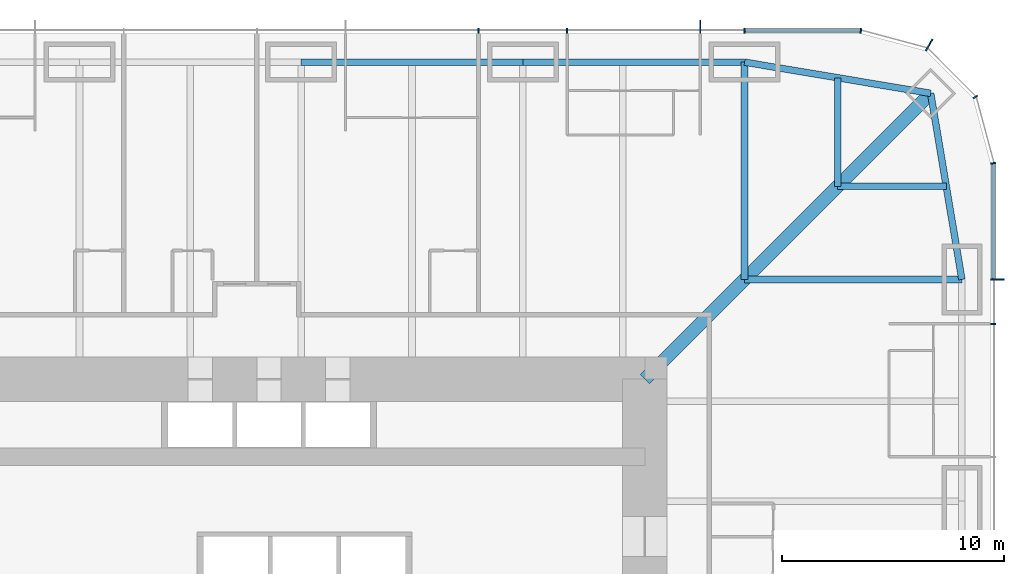
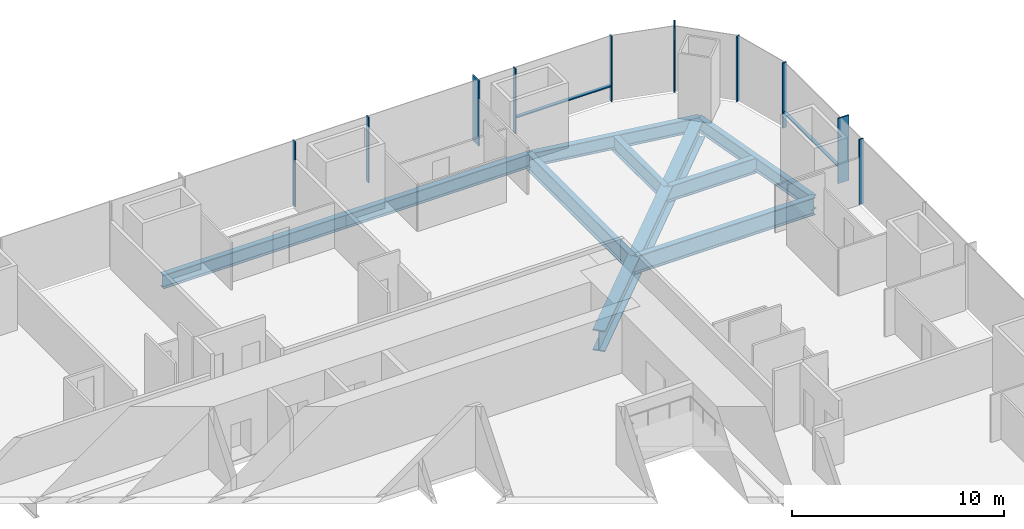
# One storey, part 9 of 16: 12 members, 9 beams, 3 elements without a shape of their own.
"""IFC4 building model written with IfcOpenShell, lengths in metres."""

import ifcopenshell
import ifcopenshell.guid

model = None  # the IFC model being written
_history = None  # IfcOwnerHistory: only IFC2X3 demands one
_inside = {}  # id of a spatial element -> (the spatial element, [elements in it])
_under = {}  # id of a project, library or spatial element -> (it, [spatial elements below it])
_declared = {}  # id of a project -> (the project, [libraries it declares])
_typed = {}  # id of a type object -> (the type object, [elements of that type])
_made_of = {}  # id of a material, layer set ... -> (it, [elements and type objects made of it])


def new_model(schema):
    """Start an empty IFC model of exactly this schema.

    Asked for "IFC4X3", IfcOpenShell would pick the latest addendum, in which some entities
    have other attributes; the version numbers below select the first issue.
    IFC2X3 requires an IfcOwnerHistory on every rooted entity: one is made here for all.
    """
    global model, _history
    if schema == "IFC4X3":
        model = ifcopenshell.file(schema_version=(4, 3, 0, 0))
    else:
        model = ifcopenshell.file(schema=schema)
    _inside.clear()
    _under.clear()
    _declared.clear()
    _typed.clear()
    _made_of.clear()
    _history = None
    if model.schema == "IFC2X3":
        org = make("IfcOrganization", Name="unknown")
        user = make(
            "IfcPersonAndOrganization",
            ThePerson=make("IfcPerson", FamilyName="unknown"),
            TheOrganization=org,
        )
        app = make(
            "IfcApplication",
            ApplicationDeveloper=org,
            Version="unknown",
            ApplicationFullName="unknown",
            ApplicationIdentifier="unknown",
        )
        _history = make(
            "IfcOwnerHistory",
            OwningUser=user,
            OwningApplication=app,
            ChangeAction="ADDED",
            CreationDate=0,
        )
    return model


def make(cls, **values):
    """One entity of the class cls with the attributes given. An attribute that is None is left unset."""
    return model.create_entity(
        cls, **{name: value for name, value in values.items() if value is not None}
    )


def rooted(cls, **values):
    """An entity with a GlobalId (a new one), such as an element, a storey or a relation."""
    return make(cls, GlobalId=ifcopenshell.guid.new(), OwnerHistory=_history, **values)


def si_unit(unit_type, name, prefix=None):
    """IfcSIUnit, for example si_unit("LENGTHUNIT", "METRE", prefix="MILLI")."""
    return make("IfcSIUnit", UnitType=unit_type, Prefix=prefix, Name=name)


def assignment(units):
    """IfcUnitAssignment: the units of a project."""
    return None if units is None else make("IfcUnitAssignment", Units=units)


def point(xyz):
    """IfcCartesianPoint."""
    return None if xyz is None else make("IfcCartesianPoint", Coordinates=xyz)


def direction(xyz):
    """IfcDirection."""
    return None if xyz is None else make("IfcDirection", DirectionRatios=xyz)


def frame(location, z_axis=None, x_axis=None):
    """IfcAxis2Placement3D, a coordinate frame: its origin and axes. An axis left out is left unset."""
    return make(
        "IfcAxis2Placement3D",
        Location=point(location),
        Axis=direction(z_axis),
        RefDirection=direction(x_axis),
    )


def frame_2d(location, x_axis=None):
    """IfcAxis2Placement2D, a coordinate frame in the plane: its origin and x axis."""
    return make(
        "IfcAxis2Placement2D", Location=point(location), RefDirection=direction(x_axis)
    )


def origin():
    """The frame at (0, 0, 0) with its axes left unset."""
    return frame((0.0, 0.0, 0.0))


def origin_2d():
    """The frame at (0, 0) in the plane with its x axis left unset."""
    return frame_2d((0.0, 0.0))


def place(relative_to, where):
    """IfcLocalPlacement: puts the frame where relative to a parent placement (None: the world)."""
    return make(
        "IfcLocalPlacement", PlacementRelTo=relative_to, RelativePlacement=where
    )


def context(
    kind, dimensions, precision=None, world=None, true_north=None, identifier=None
):
    """IfcGeometricRepresentationContext, for example the 3D "Model" context."""
    return make(
        "IfcGeometricRepresentationContext",
        ContextIdentifier=identifier,
        ContextType=kind,
        CoordinateSpaceDimension=dimensions,
        Precision=precision,
        WorldCoordinateSystem=world,
        TrueNorth=true_north,
    )


def subcontext(parent, identifier, kind, view, scale=None):
    """IfcGeometricRepresentationSubContext, for example "Body" below "Model"."""
    return make(
        "IfcGeometricRepresentationSubContext",
        ContextIdentifier=identifier,
        ContextType=kind,
        ParentContext=parent,
        TargetScale=scale,
        TargetView=view,
    )


def project(units=None, contexts=None):
    """IfcProject with its units and contexts."""
    return rooted(
        "IfcProject",
        Name="project",
        RepresentationContexts=contexts,
        UnitsInContext=assignment(units),
    )


def spatial(cls, under=None, at=None, **own):
    """A site, building, storey or space (cls), placed at a placement, below another one or the project."""
    s = rooted(cls, ObjectPlacement=at, **own)
    if under is not None:
        _under.setdefault(under.id(), (under, []))[1].append(s)
    return s


def profile(cls, at=None, kind="AREA", **sizes):
    """A parametric profile (cls). Its sizes go by their IFC names, for example OverallWidth=200.0."""
    return make(cls, ProfileType=kind, Position=at, **sizes)


def rectangle(**sizes):
    """IfcRectangleProfileDef."""
    return profile("IfcRectangleProfileDef", **sizes)


def i_section(**sizes):
    """IfcIShapeProfileDef."""
    return profile("IfcIShapeProfileDef", **sizes)


def extrude(swept, where, along, depth):
    """IfcExtrudedAreaSolid: the profile swept, set in the frame where, extruded along a direction by depth."""
    return make(
        "IfcExtrudedAreaSolid",
        SweptArea=swept,
        Position=where,
        ExtrudedDirection=direction(along),
        Depth=depth,
    )


def shape(context_of_items, identifier, shape_type, items):
    """IfcShapeRepresentation: the items that make up one representation, for example the "Body"."""
    return make(
        "IfcShapeRepresentation",
        ContextOfItems=context_of_items,
        RepresentationIdentifier=identifier,
        RepresentationType=shape_type,
        Items=items,
    )


def material(Name=None, Category=None):
    """IfcMaterial."""
    return make("IfcMaterial", Name=Name, Category=Category)


def material_profile(
    of_material, cross_section, Name=None, Category=None, Priority=None
):
    """IfcMaterialProfile: a cross section and its material."""
    return make(
        "IfcMaterialProfile",
        Name=Name,
        Material=of_material,
        Profile=cross_section,
        Priority=Priority,
        Category=Category,
    )


def profile_set(profiles, Name=None, composite=None):
    """IfcMaterialProfileSet."""
    return make(
        "IfcMaterialProfileSet",
        Name=Name,
        MaterialProfiles=profiles,
        CompositeProfile=composite,
    )


def made_of(thing, what):
    """Note that an element or type object is made of a material, layer set ...; save() writes the relation."""
    if what is not None:
        _made_of.setdefault(what.id(), (what, []))[1].append(thing)
    return thing


def type_object(cls, material=None, **own):
    """A type object (cls), such as IfcWallType, which elements share."""
    return made_of(rooted(cls, **own), material)


def element(
    cls,
    number,
    at=None,
    inside=None,
    cuts=None,
    type_object=None,
    material=None,
    context=None,
    identifier="Body",
    shape_type=None,
    held_by="IfcProductDefinitionShape",
    body=None,
    shapes=None,
    **own,
):
    """One element of the class cls, such as IfcWall. Its Tag is "e" and its number.

    at: its placement. inside: the storey or other place that contains it. cuts: it is an
    opening in that element (IfcRelVoidsElement). A single representation is given by context,
    identifier, shape_type and body (its items); several are given by shapes. held_by: the class
    of the entity that holds the representations. save() writes the other relations.
    """
    e = rooted(cls, Tag="e%d" % number, ObjectPlacement=at, **own)
    if body is not None:
        shapes = [shape(context, identifier, shape_type, body)]
    if shapes is not None:
        e.Representation = make(held_by, Representations=shapes)
    if inside is not None:
        _inside.setdefault(inside.id(), (inside, []))[1].append(e)
    if cuts is not None:
        rooted(
            "IfcRelVoidsElement", RelatingBuildingElement=cuts, RelatedOpeningElement=e
        )
    if type_object is not None:
        _typed.setdefault(type_object.id(), (type_object, []))[1].append(e)
    return made_of(e, material)


def aggregate(whole, parts):
    """IfcRelAggregates: a whole, such as a stair, and the parts it consists of."""
    return rooted("IfcRelAggregates", RelatingObject=whole, RelatedObjects=parts)


def save(model, path):
    """Write the relations noted so far, then the file.

    IfcRelAggregates (storeys below a building ...), IfcRelContainedInSpatialStructure (elements
    in a storey), IfcRelDefinesByType, IfcRelAssociatesMaterial and IfcRelDeclares: one each for
    every whole, place, type object, material and project.
    """
    for whole, parts in _under.values():
        aggregate(whole, parts)
    for where, things in _inside.values():
        rooted(
            "IfcRelContainedInSpatialStructure",
            RelatedElements=things,
            RelatingStructure=where,
        )
    for kind, things in _typed.values():
        rooted("IfcRelDefinesByType", RelatedObjects=things, RelatingType=kind)
    for what, things in _made_of.values():
        rooted("IfcRelAssociatesMaterial", RelatedObjects=things, RelatingMaterial=what)
    for by, libraries in _declared.values():
        rooted("IfcRelDeclares", RelatingContext=by, RelatedDefinitions=libraries)
    model.write(path)


model = new_model("IFC4")

# Units and contexts
model_context = context("Model", 3, precision=1e-05, world=origin(), true_north=direction((0.0, 1.0)))
body_context = subcontext(model_context, "Body", "Model", "MODEL_VIEW")
ifc_project = project(units=[si_unit("LENGTHUNIT", "METRE"), si_unit("AREAUNIT", "SQUARE_METRE"), si_unit("VOLUMEUNIT", "CUBIC_METRE"), si_unit("PLANEANGLEUNIT", "RADIAN"), si_unit("MASSUNIT", "GRAM", prefix="KILO")], contexts=[model_context])

# Site, building, storey
site_placement = place(None, origin())
site = spatial("IfcSite", under=ifc_project, at=site_placement, CompositionType="ELEMENT")
building_placement = place(site_placement, origin())
building = spatial("IfcBuilding", under=site, at=building_placement, Name="Khuree Lantern Residences", CompositionType="ELEMENT")
storey_placement = place(building_placement, frame((0.0, 0.0, 69.75)))
storey = spatial("IfcBuildingStorey", under=building, at=storey_placement, Name="L17", CompositionType="ELEMENT", Elevation=69.75)

# Beams
ifc_material_1 = material(Name="Steel S355", Category="steel")
ifc_material_profile_1 = material_profile(ifc_material_1, i_section(OverallWidth=0.300048828125, OverallDepth=0.889892578125, WebThickness=0.01611328125, FlangeThickness=0.030029296875, FilletRadius=0.030029296875, at=origin_2d()), Name="HE 900 A")
ifc_profile_set_1 = profile_set([ifc_material_profile_1], Name="Steel S355")
beam_type_1 = type_object("IfcBeamType", Name="B-14 SECONDARY BEAM HE 900 A", PredefinedType="BEAM", material=ifc_profile_set_1)
for number, where, z_axis, x_axis, name in (
    (1, (24.197021484375, 29.09716796875, -0.695068359375), (0.0, -1.0, 0.0), (1.0, 0.0, 0.0), "Secondary beam N5"),
    (2, (29.09716796875, 24.197021484375, -0.695068359375), (-1.0, 0.0, 0.0), (0.0, -1.0, 0.0), "Secondary beam E1"),
):
    element("IfcBeam", number, at=place(storey_placement, frame(where, z_axis=z_axis, x_axis=x_axis)), inside=storey, type_object=beam_type_1, Name=name, PredefinedType="BEAM", context=body_context, shape_type="SweptSolid", body=[
        extrude(i_section(OverallWidth=0.300048828125, OverallDepth=0.889892578125, WebThickness=0.01611328125, FlangeThickness=0.030029296875, FilletRadius=0.030029296875, at=origin_2d()), origin(), (0.0, 0.0, 1.0), 4.900146484375),
    ])
ifc_material_profile_2 = material_profile(ifc_material_1, i_section(OverallWidth=0.300048828125, OverallDepth=0.7900390625, WebThickness=0.014892578125, FlangeThickness=0.028076171875, FilletRadius=0.030029296875, at=origin_2d()), Name="HE 800 A")
ifc_profile_set_2 = profile_set([ifc_material_profile_2], Name="Steel S355")
beam_type_2 = type_object("IfcBeamType", Name="E-14 SPANDREL BEAM HE 800 A", PredefinedType="SPANDREL", material=ifc_profile_set_2)
for number, where, z_axis, x_axis, name in (
    (3, (0.0, 29.800048828125, -0.64501953125), (1.0, 0.0, 0.0), (0.0, 1.0, 0.0), "Spandrel beam N3"),
    (4, (10.0, 29.800048828125, -0.64501953125), (1.0, 0.0, 0.0), (0.0, 1.0, 0.0), "Spandrel beam N4"),
):
    element("IfcBeam", number, at=place(storey_placement, frame(where, z_axis=z_axis, x_axis=x_axis)), inside=storey, type_object=beam_type_2, Name=name, PredefinedType="SPANDREL", context=body_context, shape_type="SweptSolid", body=[
        extrude(i_section(OverallWidth=0.300048828125, OverallDepth=0.7900390625, WebThickness=0.014892578125, FlangeThickness=0.028076171875, FilletRadius=0.030029296875, at=origin_2d()), origin(), (0.0, 0.0, 1.0), 10.0),
    ])
for number, where, z_axis, x_axis, name in (
    (5, (20.0, 29.800048828125, -0.64501953125), (0.986260251158, -0.165199022349, 0.0), (0.165199022349, 0.986260251158, 0.0), "Spandrel beam N5"),
    (6, (28.39404296875, 28.39404296875, -0.64501953125), (0.165199022349, -0.986260251158, 0.0), (0.986260251158, 0.165199022349, 0.0), "Spandrel beam E1"),
):
    element("IfcBeam", number, at=place(storey_placement, frame(where, z_axis=z_axis, x_axis=x_axis)), inside=storey, type_object=beam_type_2, Name=name, PredefinedType="SPANDREL", context=body_context, shape_type="SweptSolid", body=[
        extrude(i_section(OverallWidth=0.300048828125, OverallDepth=0.7900390625, WebThickness=0.014892578125, FlangeThickness=0.028076171875, FilletRadius=0.030029296875, at=origin_2d()), origin(), (0.0, 0.0, 1.0), 8.510986328125),
    ])

# Curtain wall, member
ifc_material_2 = material(Name="Bronze anodised aluminium", Category="aluminium")
curtain_wall_type_1 = type_object("IfcCurtainWallType", Name="CW-T1 TOWER FACE CURTAIN WALL", PredefinedType="USERDEFINED", material=ifc_material_2)
curtain_wall_1_placement = place(storey_placement, origin())
curtain_wall_1 = element("IfcCurtainWall", 7, at=curtain_wall_1_placement, inside=storey, type_object=curtain_wall_type_1, Name="L17 EAST FACE CURTAIN WALL", ObjectType="Stick-built curtain wall", PredefinedType="USERDEFINED")
ifc_material_profile_3 = material_profile(ifc_material_2, rectangle(XDim=0.06494140625, YDim=0.60009765625, at=origin_2d()), Name="F1 65X600")
ifc_profile_set_3 = profile_set([ifc_material_profile_3], Name="Bronze anodised aluminium")
member_type_1 = type_object("IfcMemberType", Name="F1 BRONZE FIN MULLION TOWER 65X600", PredefinedType="MULLION", material=ifc_profile_set_3)
member_1_placement = place(storey_placement, frame((31.39990234375, 20.0, 0.0), z_axis=(0.0, 0.0, 1.0), x_axis=(0.0, 1.0, 0.0)))
member_1 = element("IfcMember", 8, at=member_1_placement, type_object=member_type_1, Name="L17 EAST FACE FIN MULLION 14", PredefinedType="MULLION", context=body_context, shape_type="SweptSolid", body=[
    extrude(rectangle(XDim=0.06494140625, YDim=0.60009765625, at=origin_2d()), origin(), (0.0, 0.0, 1.0), 3.75),
])

curtain_wall_type_2 = type_object("IfcCurtainWallType", Name="CW-T2 TOWER CORNER CURTAIN WALL", PredefinedType="USERDEFINED", material=ifc_material_2)
curtain_wall_2_placement = place(storey_placement, origin())
curtain_wall_2 = element("IfcCurtainWall", 9, at=curtain_wall_2_placement, inside=storey, type_object=curtain_wall_type_2, Name="L17 NORTH-EAST CORNER CURTAIN WALL", ObjectType="Faceted corner curtain wall", PredefinedType="USERDEFINED")
member_2_placement = place(storey_placement, frame((28.324951171875, 30.576171875, 0.0), z_axis=(0.0, 0.0, 1.0), x_axis=(-0.86602537092, 0.500000056923, 0.0)))
member_2 = element("IfcMember", 10, at=member_2_placement, type_object=member_type_1, Name="L17 NORTH-EAST CORNER FIN MULLION 17", PredefinedType="MULLION", context=body_context, shape_type="SweptSolid", body=[
    extrude(rectangle(XDim=0.06494140625, YDim=0.60009765625, at=origin_2d()), origin(), (0.0, 0.0, 1.0), 3.75),
])

curtain_wall_3_placement = place(storey_placement, origin())
curtain_wall_3 = element("IfcCurtainWall", 11, at=curtain_wall_3_placement, inside=storey, type_object=curtain_wall_type_1, Name="L17 NORTH FACE CURTAIN WALL", ObjectType="Stick-built curtain wall", PredefinedType="USERDEFINED")
member_3_placement = place(storey_placement, frame((18.0, 31.39990234375, 0.0), z_axis=(0.0, 0.0, 1.0), x_axis=(-1.0, 0.0, 0.0)))
member_3 = element("IfcMember", 12, at=member_3_placement, type_object=member_type_1, Name="L17 NORTH FACE FIN MULLION 20", PredefinedType="MULLION", context=body_context, shape_type="SweptSolid", body=[
    extrude(rectangle(XDim=0.06494140625, YDim=0.60009765625, at=origin_2d()), origin(), (0.0, 0.0, 1.0), 3.75),
])

# Beams
ifc_material_profile_4 = material_profile(ifc_material_1, i_section(OverallWidth=0.302001953125, OverallDepth=1.008056640625, WebThickness=0.02099609375, FlangeThickness=0.0400390625, FilletRadius=0.030029296875, at=origin_2d()), Name="HE 1000 M")
ifc_profile_set_4 = profile_set([ifc_material_profile_4], Name="Steel S355")
beam_type_3 = type_object("IfcBeamType", Name="G-14 GIRDER HE 1000 M", PredefinedType="BEAM", material=ifc_profile_set_4)
for number, where, z_axis, x_axis, name in (
    (13, (20.0, 29.800048828125, -0.75390625), (0.0, -1.0, 0.0), (1.0, 0.0, 0.0), "Girder N5"),
    (14, (29.800048828125, 20.0, -0.75390625), (-1.0, 0.0, 0.0), (0.0, -1.0, 0.0), "Girder E1"),
):
    element("IfcBeam", number, at=place(storey_placement, frame(where, z_axis=z_axis, x_axis=x_axis)), inside=storey, type_object=beam_type_3, Name=name, PredefinedType="BEAM", context=body_context, shape_type="SweptSolid", body=[
        extrude(i_section(OverallWidth=0.302001953125, OverallDepth=1.008056640625, WebThickness=0.02099609375, FlangeThickness=0.0400390625, FilletRadius=0.030029296875, at=origin_2d()), origin(), (0.0, 0.0, 1.0), 9.800048828125),
    ])
ifc_material_profile_5 = material_profile(ifc_material_1, i_section(OverallWidth=0.60009765625, OverallDepth=1.199951171875, WebThickness=0.030029296875, FlangeThickness=0.06005859375, at=origin_2d()), Name="WELDED I 1200X600X30X60")
ifc_profile_set_5 = profile_set([ifc_material_profile_5], Name="Steel S355")
beam_type_4 = type_object("IfcBeamType", Name="GD-14 CORNER GIRDER WELDED I 1200X600X30X60", PredefinedType="BEAM", material=ifc_profile_set_5)
beam_placement = place(storey_placement, frame((28.39404296875, 28.39404296875, -0.85009765625), z_axis=(-0.707106781187, -0.707106781187, 0.0), x_axis=(0.707106781187, -0.707106781187, 0.0)))
element("IfcBeam", 15, at=beam_placement, inside=storey, type_object=beam_type_4, Name="Corner girder NE", PredefinedType="BEAM", context=body_context, shape_type="SweptSolid", body=[
    extrude(i_section(OverallWidth=0.60009765625, OverallDepth=1.199951171875, WebThickness=0.030029296875, FlangeThickness=0.06005859375, at=origin_2d()), origin(), (0.0, 0.0, 1.0), 18.23486328125),
])

# Member
ifc_material_profile_6 = material_profile(ifc_material_2, rectangle(XDim=0.06494140625, YDim=0.219970703125, at=origin_2d()), Name="M1 65X220")
ifc_profile_set_6 = profile_set([ifc_material_profile_6], Name="Bronze anodised aluminium")
member_type_2 = type_object("IfcMemberType", Name="M1 BRONZE MULLION TOWER 65X220", PredefinedType="MULLION", material=ifc_profile_set_6)
member_4_placement = place(storey_placement, frame((31.2099609375, 18.0, 0.0), z_axis=(0.0, 0.0, 1.0), x_axis=(0.0, 1.0, 0.0)))
member_4 = element("IfcMember", 16, at=member_4_placement, type_object=member_type_2, Name="L17 EAST FACE MULLION 13", PredefinedType="MULLION", context=body_context, shape_type="SweptSolid", body=[
    extrude(rectangle(XDim=0.06494140625, YDim=0.219970703125, at=origin_2d()), origin(), (0.0, 0.0, 1.0), 3.75),
])

member_5_placement = place(storey_placement, frame((31.211669921875, 25.244873046875, 0.0), z_axis=(0.0, 0.0, 1.0), x_axis=(-0.130526257387, 0.991444852794, 0.0)))
member_5 = element("IfcMember", 17, at=member_5_placement, type_object=member_type_2, Name="L17 NORTH-EAST CORNER MULLION 15", PredefinedType="MULLION", context=body_context, shape_type="SweptSolid", body=[
    extrude(rectangle(XDim=0.06494140625, YDim=0.219970703125, at=origin_2d()), origin(), (0.0, 0.0, 1.0), 3.75),
])

member_6_placement = place(storey_placement, frame((30.41162109375, 28.22998046875, 0.0), z_axis=(0.0, 0.0, 1.0), x_axis=(-0.500000056923, 0.86602537092, 0.0)))
member_6 = element("IfcMember", 18, at=member_6_placement, type_object=member_type_2, Name="L17 NORTH-EAST CORNER MULLION 16", PredefinedType="MULLION", context=body_context, shape_type="SweptSolid", body=[
    extrude(rectangle(XDim=0.06494140625, YDim=0.219970703125, at=origin_2d()), origin(), (0.0, 0.0, 1.0), 3.75),
])

aggregate(curtain_wall_2, [member_5, member_6, member_2])

member_7_placement = place(storey_placement, frame((25.244873046875, 31.211669921875, 0.0), z_axis=(0.0, 0.0, 1.0), x_axis=(-0.991444852794, 0.130526257387, 0.0)))
member_7 = element("IfcMember", 19, at=member_7_placement, type_object=member_type_2, Name="L17 NORTH FACE MULLION 18", PredefinedType="MULLION", context=body_context, shape_type="SweptSolid", body=[
    extrude(rectangle(XDim=0.06494140625, YDim=0.219970703125, at=origin_2d()), origin(), (0.0, 0.0, 1.0), 3.75),
])

member_8_placement = place(storey_placement, frame((20.0, 31.2099609375, 0.0), z_axis=(0.0, 0.0, 1.0), x_axis=(-1.0, 0.0, 0.0)))
member_8 = element("IfcMember", 20, at=member_8_placement, type_object=member_type_2, Name="L17 NORTH FACE MULLION 19", PredefinedType="MULLION", context=body_context, shape_type="SweptSolid", body=[
    extrude(rectangle(XDim=0.06494140625, YDim=0.219970703125, at=origin_2d()), origin(), (0.0, 0.0, 1.0), 3.75),
])

member_9_placement = place(storey_placement, frame((12.0, 31.2099609375, 0.0), z_axis=(0.0, 0.0, 1.0), x_axis=(-1.0, 0.0, 0.0)))
member_9 = element("IfcMember", 21, at=member_9_placement, type_object=member_type_2, Name="L17 NORTH FACE MULLION 21", PredefinedType="MULLION", context=body_context, shape_type="SweptSolid", body=[
    extrude(rectangle(XDim=0.06494140625, YDim=0.219970703125, at=origin_2d()), origin(), (0.0, 0.0, 1.0), 3.75),
])

member_10_placement = place(storey_placement, frame((8.0, 31.2099609375, 0.0), z_axis=(0.0, 0.0, 1.0), x_axis=(-1.0, 0.0, 0.0)))
member_10 = element("IfcMember", 22, at=member_10_placement, type_object=member_type_2, Name="L17 NORTH FACE MULLION 22", PredefinedType="MULLION", context=body_context, shape_type="SweptSolid", body=[
    extrude(rectangle(XDim=0.06494140625, YDim=0.219970703125, at=origin_2d()), origin(), (0.0, 0.0, 1.0), 3.75),
])

ifc_material_profile_7 = material_profile(ifc_material_2, rectangle(XDim=0.179931640625, YDim=0.06494140625, at=origin_2d()), Name="T1 180X65")
ifc_profile_set_7 = profile_set([ifc_material_profile_7], Name="Bronze anodised aluminium")
member_type_3 = type_object("IfcMemberType", Name="TRANSOM T1 TOWER 180X65", PredefinedType="USERDEFINED", material=ifc_profile_set_7)
member_11_placement = place(storey_placement, frame((31.219970703125, 20.032470703125, 0.89990234375), z_axis=(0.0, 1.0, 0.0), x_axis=(-1.0, 0.0, 0.0)))
member_11 = element("IfcMember", 23, at=member_11_placement, type_object=member_type_3, Name="L17 EAST FACE TRANSOM 14.1", ObjectType="Transom", PredefinedType="USERDEFINED", context=body_context, shape_type="SweptSolid", body=[
    extrude(rectangle(XDim=0.179931640625, YDim=0.06494140625, at=origin_2d()), origin(), (0.0, 0.0, 1.0), 5.1689453125),
])

aggregate(curtain_wall_1, [member_4, member_1, member_11])

member_12_placement = place(storey_placement, frame((25.201416015625, 31.219970703125, 0.89990234375), z_axis=(-1.0, 0.0, 0.0), x_axis=(0.0, -1.0, 0.0)))
member_12 = element("IfcMember", 24, at=member_12_placement, type_object=member_type_3, Name="L17 NORTH FACE TRANSOM 18.1", ObjectType="Transom", PredefinedType="USERDEFINED", context=body_context, shape_type="SweptSolid", body=[
    extrude(rectangle(XDim=0.179931640625, YDim=0.06494140625, at=origin_2d()), origin(), (0.0, 0.0, 1.0), 5.1689453125),
])

aggregate(curtain_wall_3, [member_7, member_8, member_3, member_9, member_10, member_12])

save(model, "model.ifc")
